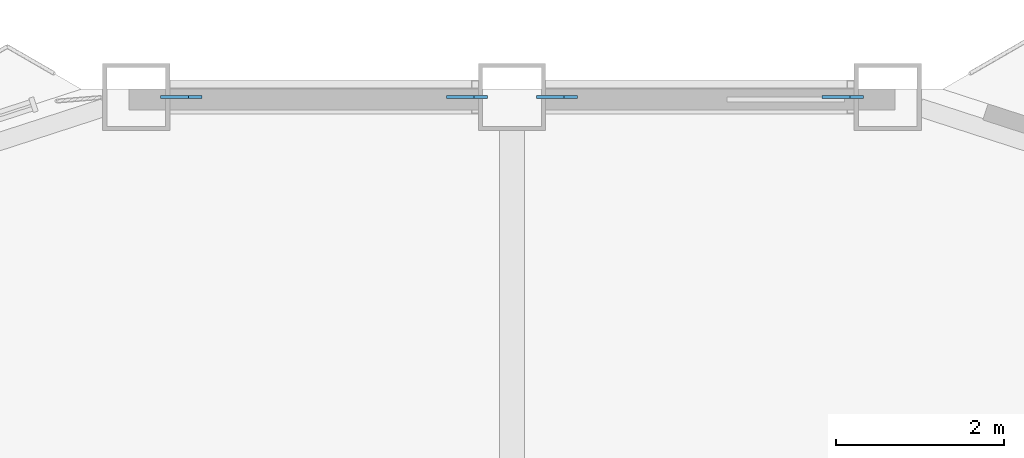
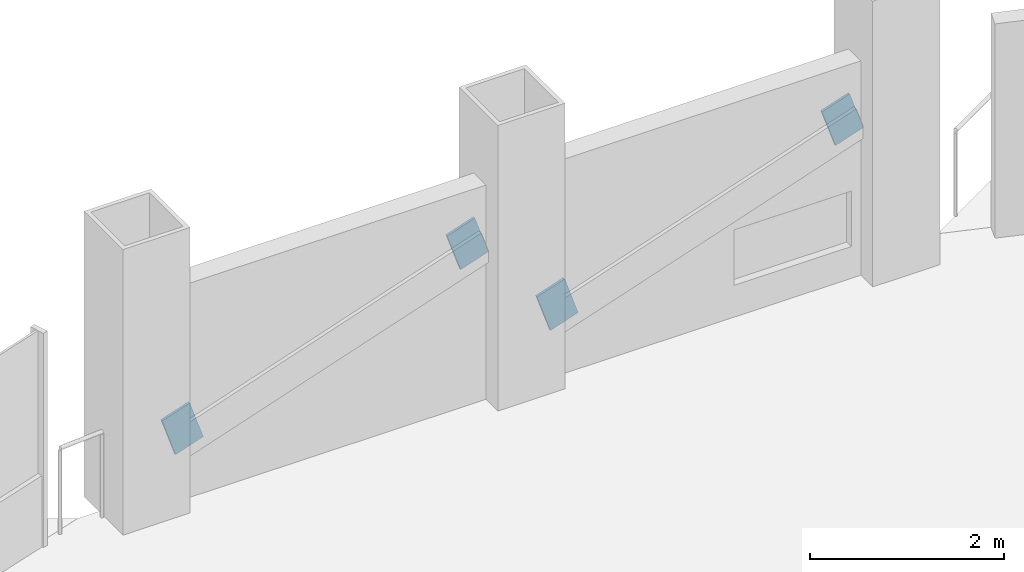
# One storey, part 18 of 23: 4 discrete accessories.
"""IFC4 building model written with IfcOpenShell, lengths in metres."""

from ifc_helpers import new_model, si_unit, direction, frame, origin, origin_2d, place, context, subcontext, project, spatial, rectangle, extrude, material, material_profile, profile_set, type_object, element, save


model = new_model("IFC4")

# Units and contexts
model_context = context("Model", 3, precision=1e-05, world=origin(), true_north=direction((0.0, 1.0)))
body_context = subcontext(model_context, "Body", "Model", "MODEL_VIEW")
ifc_project = project(units=[si_unit("LENGTHUNIT", "METRE"), si_unit("AREAUNIT", "SQUARE_METRE"), si_unit("VOLUMEUNIT", "CUBIC_METRE"), si_unit("PLANEANGLEUNIT", "RADIAN"), si_unit("MASSUNIT", "GRAM", prefix="KILO")], contexts=[model_context])

# Site, building, storey
site_placement = place(None, origin())
site = spatial("IfcSite", under=ifc_project, at=site_placement, CompositionType="ELEMENT")
building_placement = place(site_placement, origin())
building = spatial("IfcBuilding", under=site, at=building_placement, Name="Cormorant Prow Tower", CompositionType="ELEMENT")
storey_placement = place(building_placement, frame((0.0, 0.0, 172.800048828125)))
storey = spatial("IfcBuildingStorey", under=building, at=storey_placement, Name="L36", CompositionType="ELEMENT", Elevation=172.800048828125)

# Discrete accessories
ifc_material = material(Name="Structural steel ASTM A500 Gr C", Category="steel")
ifc_material_profile = material_profile(ifc_material, rectangle(XDim=0.031982421875, YDim=0.506103515625, at=origin_2d()), Name="Gusset plate 32x506")
ifc_profile_set = profile_set([ifc_material_profile], Name="Structural steel ASTM A500 Gr C")
discrete_accessory_type = type_object("IfcDiscreteAccessoryType", Name="Gusset plate 32x506", PredefinedType="BRACKET", material=ifc_profile_set)
discrete_accessory_1_placement = place(storey_placement, frame((0.701416015625, 32.3994140625, 0.83544921875), z_axis=(-0.948053578163, 0.0, -0.318110692893), x_axis=(0.0, -1.0, 0.0)))
element("IfcDiscreteAccessory", 1, at=discrete_accessory_1_placement, inside=storey, type_object=discrete_accessory_type, Name="Gusset plate GP2 L36.N00.g0", PredefinedType="BRACKET", context=body_context, shape_type="SweptSolid", body=[
    extrude(rectangle(XDim=0.031982421875, YDim=0.506103515625, at=origin_2d()), origin(), (0.0, 0.0, 1.0), 0.349853515625),
])
discrete_accessory_2_placement = place(storey_placement, frame((3.768798828125, 32.3994140625, 1.865234375), z_axis=(0.947843027885, 0.0, 0.318737500915), x_axis=(0.0, 1.0, 0.0)))
element("IfcDiscreteAccessory", 2, at=discrete_accessory_2_placement, inside=storey, type_object=discrete_accessory_type, Name="Gusset plate GP2 L36.N00.g1", PredefinedType="BRACKET", context=body_context, shape_type="SweptSolid", body=[
    extrude(rectangle(XDim=0.031982421875, YDim=0.506103515625, at=origin_2d()), origin(), (0.0, 0.0, 1.0), 0.35009765625),
])
discrete_accessory_3_placement = place(storey_placement, frame((-3.768798828125, 32.3994140625, 0.83544921875), z_axis=(-0.948053578163, 0.0, -0.318110692893), x_axis=(0.0, -1.0, 0.0)))
element("IfcDiscreteAccessory", 3, at=discrete_accessory_3_placement, inside=storey, type_object=discrete_accessory_type, Name="Gusset plate GP2 L36.N01.g0", PredefinedType="BRACKET", context=body_context, shape_type="SweptSolid", body=[
    extrude(rectangle(XDim=0.031982421875, YDim=0.506103515625, at=origin_2d()), origin(), (0.0, 0.0, 1.0), 0.349853515625),
])
discrete_accessory_4_placement = place(storey_placement, frame((-0.701416015625, 32.3994140625, 1.865234375), z_axis=(0.947843027885, 0.0, 0.318737500915), x_axis=(0.0, 1.0, 0.0)))
element("IfcDiscreteAccessory", 4, at=discrete_accessory_4_placement, inside=storey, type_object=discrete_accessory_type, Name="Gusset plate GP2 L36.N01.g1", PredefinedType="BRACKET", context=body_context, shape_type="SweptSolid", body=[
    extrude(rectangle(XDim=0.031982421875, YDim=0.506103515625, at=origin_2d()), origin(), (0.0, 0.0, 1.0), 0.35009765625),
])

save(model, "model.ifc")
